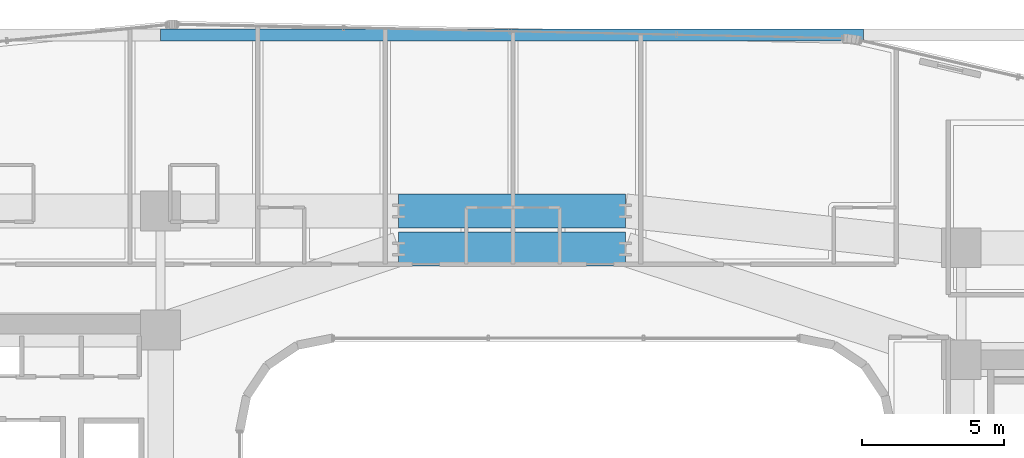
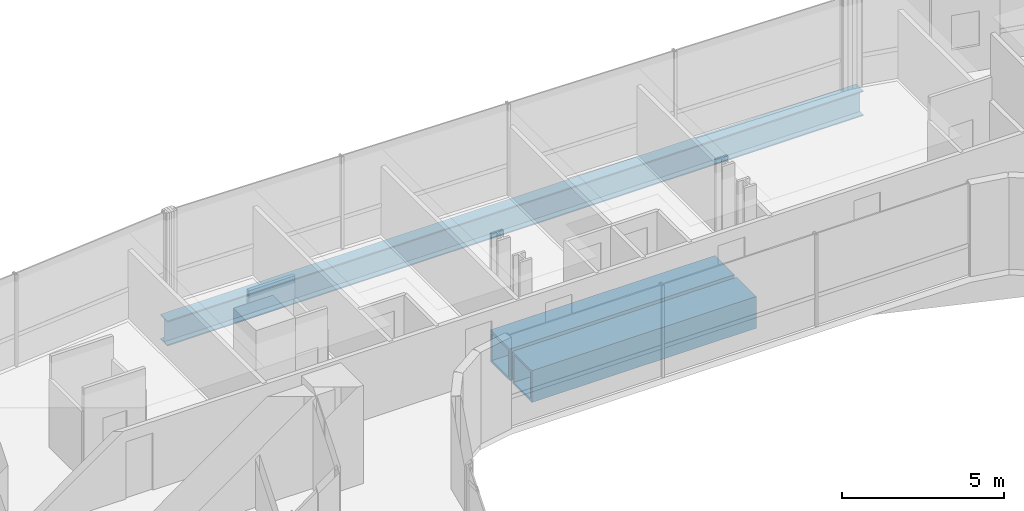
# One storey, part 26 of 50: 3 beams.
"""IFC4 building model written with IfcOpenShell, lengths in metres."""

from ifc_helpers import new_model, si_unit, direction, frame, origin, origin_2d, place, context, subcontext, project, spatial, hollow_rectangle, i_section, extrude, source, transform, mapped, material, material_profile, profile_set, type_object, element, save


model = new_model("IFC4")

# Units and contexts
model_context = context("Model", 3, precision=1e-05, world=origin(), true_north=direction((0.0, 1.0)))
body_context = subcontext(model_context, "Body", "Model", "MODEL_VIEW")
ifc_project = project(units=[si_unit("LENGTHUNIT", "METRE"), si_unit("AREAUNIT", "SQUARE_METRE"), si_unit("VOLUMEUNIT", "CUBIC_METRE"), si_unit("PLANEANGLEUNIT", "RADIAN"), si_unit("MASSUNIT", "GRAM", prefix="KILO")], contexts=[model_context])

# Site, building, storey
site_placement = place(None, origin())
site = spatial("IfcSite", under=ifc_project, at=site_placement, CompositionType="ELEMENT")
building_placement = place(site_placement, origin())
building = spatial("IfcBuilding", under=site, at=building_placement, Name="Valdorenza Pilgrim Sanctuary Tower", CompositionType="ELEMENT")
storey_placement = place(building_placement, frame((0.0, 0.0, 26.0)))
storey = spatial("IfcBuildingStorey", under=building, at=storey_placement, Name="L05", CompositionType="ELEMENT", Elevation=26.0)

# Beams
ifc_material_1 = material(Name="Steel ASTM A992 Grade 50", Category="steel")
ifc_material_profile_1 = material_profile(ifc_material_1, i_section(OverallWidth=0.423095703125, OverallDepth=0.947998046875, WebThickness=0.02392578125, FlangeThickness=0.042724609375, at=origin_2d()), Name="W36X302")
ifc_profile_set_1 = profile_set([ifc_material_profile_1], Name="Steel ASTM A992 Grade 50")
beam_type_1 = type_object("IfcBeamType", Name="STR-BM-GRD-W36A", PredefinedType="BEAM", material=ifc_profile_set_1)
shared_shape_1 = source(origin(), body_context, "Body", "SweptSolid", [
    extrude(i_section(OverallWidth=0.423095703125, OverallDepth=0.947998046875, WebThickness=0.02392578125, FlangeThickness=0.042724609375, at=origin_2d()), origin(), (0.0, 0.0, 1.0), 24.7998046875),
])
beam_placement = place(storey_placement, frame((-12.39990234375, 21.0, -0.714111328125), z_axis=(1.0, 0.0, 0.0), x_axis=(0.0, 1.0, 0.0)))
element("IfcBeam", 1, at=beam_placement, inside=storey, type_object=beam_type_1, Name="L05 Floor Girder POD-N-TIE2", PredefinedType="BEAM", context=body_context, shape_type="MappedRepresentation", body=[
    mapped(shared_shape_1, transform((0.0, 0.0, 0.0), x_axis=(1.0, 0.0, 0.0), y_axis=(0.0, 1.0, 0.0), z_axis=(0.0, 0.0, 1.0), scale=1.0)),
])
ifc_material_2 = material(Name="Steel ASTM A572 Grade 42", Category="steel")
ifc_material_profile_2 = material_profile(ifc_material_2, hollow_rectangle(XDim=1.199951171875, YDim=1.199951171875, WallThickness=0.090087890625, at=origin_2d()), Name="BOX 1200x1200x90")
ifc_profile_set_2 = profile_set([ifc_material_profile_2], Name="Steel ASTM A572 Grade 42")
beam_type_2 = type_object("IfcBeamType", Name="STR-BM-TRF-1200", PredefinedType="BEAM", material=ifc_profile_set_2)
shared_shape_2 = source(origin(), body_context, "Body", "SweptSolid", [
    extrude(hollow_rectangle(XDim=1.199951171875, YDim=1.199951171875, WallThickness=0.090087890625, at=origin_2d()), origin(), (0.0, 0.0, 1.0), 8.0),
])
for number, where, z_axis, x_axis, name in (
    (2, (-4.0, 13.449951171875, -0.840087890625), (1.0, 0.0, 0.0), (0.0, 1.0, 0.0), "L05 Podium Arch Transfer Girder TRF-L05-2"),
    (3, (-4.0, 14.800048828125, -0.840087890625), (1.0, 0.0, 0.0), (0.0, 1.0, 0.0), "L05 Podium Arch Transfer Girder TRF-L05-5"),
):
    element("IfcBeam", number, at=place(storey_placement, frame(where, z_axis=z_axis, x_axis=x_axis)), inside=storey, type_object=beam_type_2, Name=name, PredefinedType="BEAM", context=body_context, shape_type="MappedRepresentation", body=[
        mapped(shared_shape_2, transform((0.0, 0.0, 0.0), x_axis=(1.0, 0.0, 0.0), y_axis=(0.0, 1.0, 0.0), z_axis=(0.0, 0.0, 1.0), scale=1.0)),
    ])

save(model, "model.ifc")
